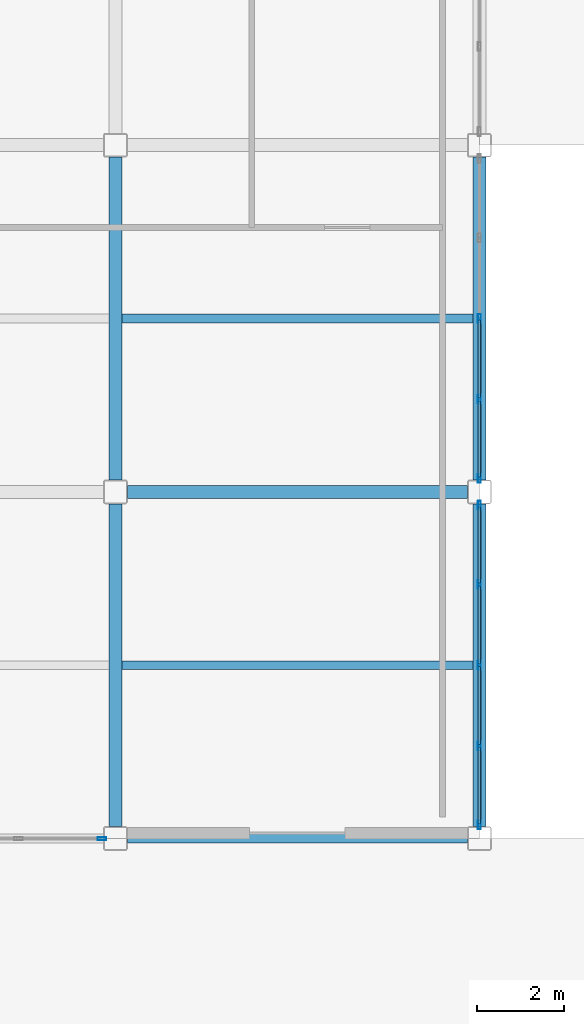
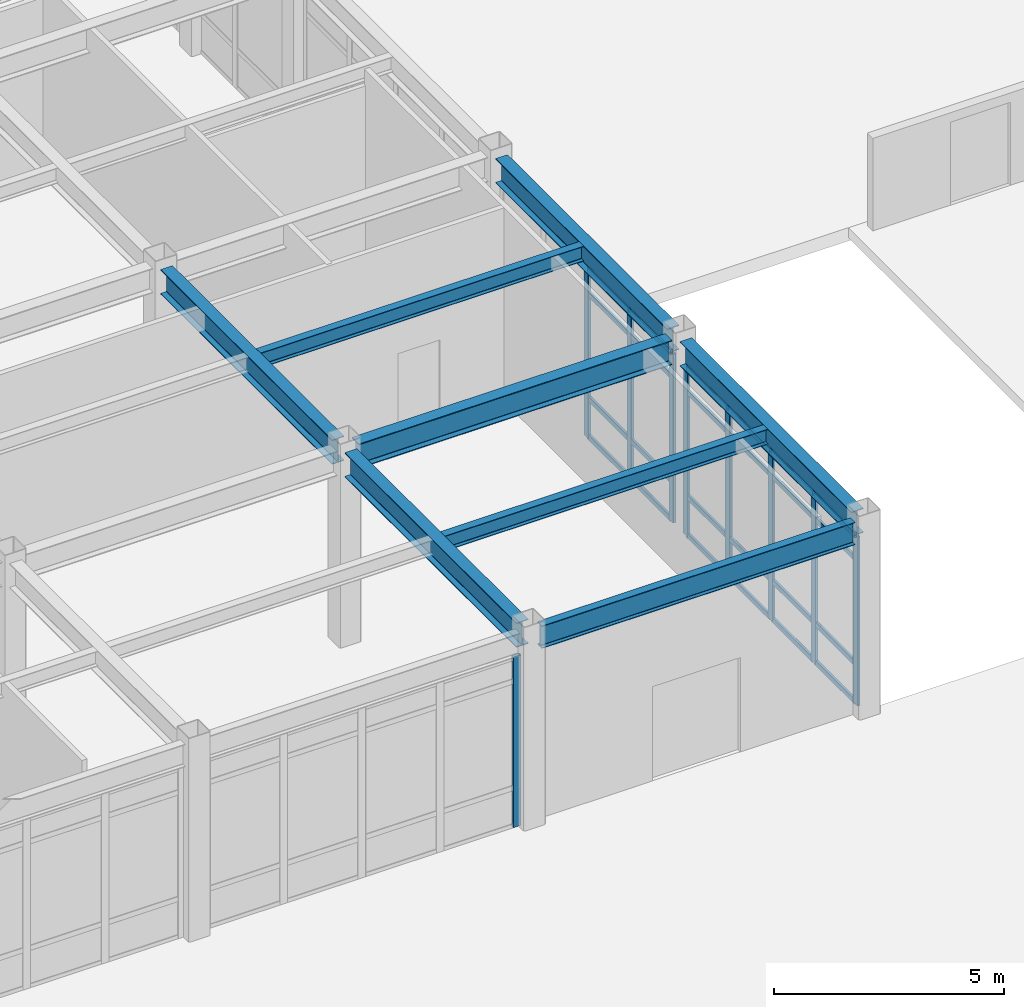
# One storey, part 76 of 165: 33 members, 8 beams, 3 elements without a shape of their own.
"""IFC4 building model written with IfcOpenShell, lengths in metres."""

from ifc_helpers import new_model, si_unit, direction, frame, origin, origin_2d, place, context, subcontext, project, spatial, hollow_rectangle, i_section, extrude, material, layer, layer_set, material_profile, profile_set, type_object, element, aggregate, save


model = new_model("IFC4")

# Units and contexts
model_context = context("Model", 3, precision=1e-05, world=origin(), true_north=direction((0.0, 1.0)))
body_context = subcontext(model_context, "Body", "Model", "MODEL_VIEW")
ifc_project = project(units=[si_unit("LENGTHUNIT", "METRE"), si_unit("AREAUNIT", "SQUARE_METRE"), si_unit("VOLUMEUNIT", "CUBIC_METRE"), si_unit("PLANEANGLEUNIT", "RADIAN"), si_unit("MASSUNIT", "GRAM", prefix="KILO")], contexts=[model_context])

# Site, building, storey
site_placement = place(None, origin())
site = spatial("IfcSite", under=ifc_project, at=site_placement, CompositionType="ELEMENT")
building_placement = place(site_placement, origin())
building = spatial("IfcBuilding", under=site, at=building_placement, Name="Kazehara Bluff Congress Hotel", CompositionType="ELEMENT")
storey_placement = place(building_placement, origin())
storey = spatial("IfcBuildingStorey", under=building, at=storey_placement, Name="L00", CompositionType="ELEMENT", Elevation=0.0)

# Curtain wall, member
ifc_material_1 = material(Name="Anodised aluminium", Category="aluminium")
ifc_layer_1 = layer(ifc_material_1, 0.159912109375)
ifc_layer_set_1 = layer_set([ifc_layer_1], Name="Anodised aluminium")
curtain_wall_type_1 = type_object("IfcCurtainWallType", Name="TP-CW-36", PredefinedType="NOTDEFINED", material=ifc_layer_set_1)
curtain_wall_1_placement = place(storey_placement, origin())
curtain_wall_1 = element("IfcCurtainWall", 1, at=curtain_wall_1_placement, inside=storey, type_object=curtain_wall_type_1, Name="L00 curtain wall CW-36 CW-V3-L00-Y8090-8472", PredefinedType="NOTDEFINED")
ifc_material_2 = material(Name="Anodised aluminium", Category="aluminium")
ifc_material_profile_1 = material_profile(ifc_material_2, hollow_rectangle(XDim=0.070068359375, YDim=0.199951171875, WallThickness=0.0048828125, InnerFilletRadius=0.0048828125, OuterFilletRadius=0.010009765625, at=origin_2d()))
ifc_profile_set_1 = profile_set([ifc_material_profile_1], Name="Anodised aluminium")
member_type_1 = type_object("IfcMemberType", Name="TP-CWM-03", PredefinedType="MULLION", material=ifc_profile_set_1)
member_1_placement = place(storey_placement, frame((92.5400390625, 80.89990234375, 0.0), z_axis=(0.0, 0.0, 1.0), x_axis=(0.0, 1.0, 0.0)))
member_1 = element("IfcMember", 2, at=member_1_placement, type_object=member_type_1, Name="CW-36 mullion 5", PredefinedType="MULLION", context=body_context, shape_type="SweptSolid", body=[
    extrude(hollow_rectangle(XDim=0.070068359375, YDim=0.199951171875, WallThickness=0.0048828125, InnerFilletRadius=0.0048828125, OuterFilletRadius=0.010009765625, at=origin_2d()), origin(), (0.0, 0.0, 1.0), 4.52490234375),
])
aggregate(curtain_wall_1, [member_1])

# Curtain wall, members
ifc_material_3 = material(Name="Anodised aluminium", Category="aluminium")
ifc_layer_2 = layer(ifc_material_3, 0.159912109375)
ifc_layer_set_2 = layer_set([ifc_layer_2], Name="Anodised aluminium")
curtain_wall_type_2 = type_object("IfcCurtainWallType", Name="TP-CW-40", PredefinedType="NOTDEFINED", material=ifc_layer_set_2)
curtain_wall_2_placement = place(storey_placement, origin())
curtain_wall_2 = element("IfcCurtainWall", 3, at=curtain_wall_2_placement, inside=storey, type_object=curtain_wall_type_2, Name="L00 curtain wall CW-40 CW-V3-L00-X10125-8118", PredefinedType="NOTDEFINED")
member_2_placement = place(storey_placement, frame((101.25, 81.2099609375, 0.0), z_axis=(0.0, 0.0, 1.0), x_axis=(-1.0, 0.0, 0.0)))
member_2 = element("IfcMember", 4, at=member_2_placement, type_object=member_type_1, Name="CW-40 mullion 1", PredefinedType="MULLION", context=body_context, shape_type="SweptSolid", body=[
    extrude(hollow_rectangle(XDim=0.070068359375, YDim=0.199951171875, WallThickness=0.0048828125, InnerFilletRadius=0.0048828125, OuterFilletRadius=0.010009765625, at=origin_2d()), origin(), (0.0, 0.0, 1.0), 4.47509765625),
])
member_3_placement = place(storey_placement, frame((101.25, 83.03759765625, 0.0), z_axis=(0.0, 0.0, 1.0), x_axis=(-1.0, 0.0, 0.0)))
member_3 = element("IfcMember", 5, at=member_3_placement, type_object=member_type_1, Name="CW-40 mullion 2", PredefinedType="MULLION", context=body_context, shape_type="SweptSolid", body=[
    extrude(hollow_rectangle(XDim=0.070068359375, YDim=0.199951171875, WallThickness=0.0048828125, InnerFilletRadius=0.0048828125, OuterFilletRadius=0.010009765625, at=origin_2d()), origin(), (0.0, 0.0, 1.0), 4.47509765625),
])
member_4_placement = place(storey_placement, frame((101.25, 84.89990234375, 0.0), z_axis=(0.0, 0.0, 1.0), x_axis=(-1.0, 0.0, 0.0)))
member_4 = element("IfcMember", 6, at=member_4_placement, type_object=member_type_1, Name="CW-40 mullion 3", PredefinedType="MULLION", context=body_context, shape_type="SweptSolid", body=[
    extrude(hollow_rectangle(XDim=0.070068359375, YDim=0.199951171875, WallThickness=0.0048828125, InnerFilletRadius=0.0048828125, OuterFilletRadius=0.010009765625, at=origin_2d()), origin(), (0.0, 0.0, 1.0), 4.47509765625),
])
member_5_placement = place(storey_placement, frame((101.25, 86.762451171875, 0.0), z_axis=(0.0, 0.0, 1.0), x_axis=(-1.0, 0.0, 0.0)))
member_5 = element("IfcMember", 7, at=member_5_placement, type_object=member_type_1, Name="CW-40 mullion 4", PredefinedType="MULLION", context=body_context, shape_type="SweptSolid", body=[
    extrude(hollow_rectangle(XDim=0.070068359375, YDim=0.199951171875, WallThickness=0.0048828125, InnerFilletRadius=0.0048828125, OuterFilletRadius=0.010009765625, at=origin_2d()), origin(), (0.0, 0.0, 1.0), 4.47509765625),
])
member_6_placement = place(storey_placement, frame((101.25, 88.590087890625, 0.0), z_axis=(0.0, 0.0, 1.0), x_axis=(-1.0, 0.0, 0.0)))
member_6 = element("IfcMember", 8, at=member_6_placement, type_object=member_type_1, Name="CW-40 mullion 5", PredefinedType="MULLION", context=body_context, shape_type="SweptSolid", body=[
    extrude(hollow_rectangle(XDim=0.070068359375, YDim=0.199951171875, WallThickness=0.0048828125, InnerFilletRadius=0.0048828125, OuterFilletRadius=0.010009765625, at=origin_2d()), origin(), (0.0, 0.0, 1.0), 4.47509765625),
])

curtain_wall_3_placement = place(storey_placement, origin())
curtain_wall_3 = element("IfcCurtainWall", 9, at=curtain_wall_3_placement, inside=storey, type_object=curtain_wall_type_2, Name="L00 curtain wall CW-40 CW-V3-L00-X10125-8918", PredefinedType="NOTDEFINED")
member_7_placement = place(storey_placement, frame((101.25, 89.2099609375, 0.0), z_axis=(0.0, 0.0, 1.0), x_axis=(-1.0, 0.0, 0.0)))
member_7 = element("IfcMember", 10, at=member_7_placement, type_object=member_type_1, Name="CW-40 mullion 1", PredefinedType="MULLION", context=body_context, shape_type="SweptSolid", body=[
    extrude(hollow_rectangle(XDim=0.070068359375, YDim=0.199951171875, WallThickness=0.0048828125, InnerFilletRadius=0.0048828125, OuterFilletRadius=0.010009765625, at=origin_2d()), origin(), (0.0, 0.0, 1.0), 4.47509765625),
])
member_8_placement = place(storey_placement, frame((101.25, 91.03759765625, 0.0), z_axis=(0.0, 0.0, 1.0), x_axis=(-1.0, 0.0, 0.0)))
member_8 = element("IfcMember", 11, at=member_8_placement, type_object=member_type_1, Name="CW-40 mullion 2", PredefinedType="MULLION", context=body_context, shape_type="SweptSolid", body=[
    extrude(hollow_rectangle(XDim=0.070068359375, YDim=0.199951171875, WallThickness=0.0048828125, InnerFilletRadius=0.0048828125, OuterFilletRadius=0.010009765625, at=origin_2d()), origin(), (0.0, 0.0, 1.0), 4.47509765625),
])
member_9_placement = place(storey_placement, frame((101.25, 92.89990234375, 0.0), z_axis=(0.0, 0.0, 1.0), x_axis=(-1.0, 0.0, 0.0)))
member_9 = element("IfcMember", 12, at=member_9_placement, type_object=member_type_1, Name="CW-40 mullion 3", PredefinedType="MULLION", context=body_context, shape_type="SweptSolid", body=[
    extrude(hollow_rectangle(XDim=0.070068359375, YDim=0.199951171875, WallThickness=0.0048828125, InnerFilletRadius=0.0048828125, OuterFilletRadius=0.010009765625, at=origin_2d()), origin(), (0.0, 0.0, 1.0), 4.47509765625),
])

# Member
ifc_material_4 = material(Name="Anodised aluminium", Category="aluminium")
ifc_material_profile_2 = material_profile(ifc_material_4, hollow_rectangle(XDim=0.06494140625, YDim=0.139892578125, WallThickness=0.00390625, InnerFilletRadius=0.00390625, OuterFilletRadius=0.008056640625, at=origin_2d()))
ifc_profile_set_2 = profile_set([ifc_material_profile_2], Name="Anodised aluminium")
member_type_2 = type_object("IfcMemberType", Name="TP-CWT-02", PredefinedType="USERDEFINED", material=ifc_profile_set_2)
member_10_placement = place(storey_placement, frame((101.25, 81.2451171875, 0.032470703125), z_axis=(0.0, 1.0, 0.0), x_axis=(-1.0, 0.0, 0.0)))
member_10 = element("IfcMember", 13, at=member_10_placement, type_object=member_type_2, Name="CW-40 transom 1.1", ObjectType="TRANSOM", PredefinedType="USERDEFINED", context=body_context, shape_type="SweptSolid", body=[
    extrude(hollow_rectangle(XDim=0.06494140625, YDim=0.139892578125, WallThickness=0.00390625, InnerFilletRadius=0.00390625, OuterFilletRadius=0.008056640625, at=origin_2d()), origin(), (0.0, 0.0, 1.0), 1.75732421875),
])

member_11_placement = place(storey_placement, frame((101.25, 81.2451171875, 1.050048828125), z_axis=(0.0, 1.0, 0.0), x_axis=(-1.0, 0.0, 0.0)))
member_11 = element("IfcMember", 14, at=member_11_placement, type_object=member_type_2, Name="CW-40 transom 1.2", ObjectType="TRANSOM", PredefinedType="USERDEFINED", context=body_context, shape_type="SweptSolid", body=[
    extrude(hollow_rectangle(XDim=0.06494140625, YDim=0.139892578125, WallThickness=0.00390625, InnerFilletRadius=0.00390625, OuterFilletRadius=0.008056640625, at=origin_2d()), origin(), (0.0, 0.0, 1.0), 1.75732421875),
])

member_12_placement = place(storey_placement, frame((101.25, 81.2451171875, 3.824951171875), z_axis=(0.0, 1.0, 0.0), x_axis=(-1.0, 0.0, 0.0)))
member_12 = element("IfcMember", 15, at=member_12_placement, type_object=member_type_2, Name="CW-40 transom 1.3", ObjectType="TRANSOM", PredefinedType="USERDEFINED", context=body_context, shape_type="SweptSolid", body=[
    extrude(hollow_rectangle(XDim=0.06494140625, YDim=0.139892578125, WallThickness=0.00390625, InnerFilletRadius=0.00390625, OuterFilletRadius=0.008056640625, at=origin_2d()), origin(), (0.0, 0.0, 1.0), 1.75732421875),
])

member_13_placement = place(storey_placement, frame((101.25, 81.2451171875, 4.4423828125), z_axis=(0.0, 1.0, 0.0), x_axis=(-1.0, 0.0, 0.0)))
member_13 = element("IfcMember", 16, at=member_13_placement, type_object=member_type_2, Name="CW-40 transom 1.4", ObjectType="TRANSOM", PredefinedType="USERDEFINED", context=body_context, shape_type="SweptSolid", body=[
    extrude(hollow_rectangle(XDim=0.06494140625, YDim=0.139892578125, WallThickness=0.00390625, InnerFilletRadius=0.00390625, OuterFilletRadius=0.008056640625, at=origin_2d()), origin(), (0.0, 0.0, 1.0), 1.75732421875),
])

member_14_placement = place(storey_placement, frame((101.25, 83.072509765625, 0.032470703125), z_axis=(0.0, 1.0, 0.0), x_axis=(-1.0, 0.0, 0.0)))
member_14 = element("IfcMember", 17, at=member_14_placement, type_object=member_type_2, Name="CW-40 transom 2.1", ObjectType="TRANSOM", PredefinedType="USERDEFINED", context=body_context, shape_type="SweptSolid", body=[
    extrude(hollow_rectangle(XDim=0.06494140625, YDim=0.139892578125, WallThickness=0.00390625, InnerFilletRadius=0.00390625, OuterFilletRadius=0.008056640625, at=origin_2d()), origin(), (0.0, 0.0, 1.0), 1.79248046875),
])

member_15_placement = place(storey_placement, frame((101.25, 83.072509765625, 1.050048828125), z_axis=(0.0, 1.0, 0.0), x_axis=(-1.0, 0.0, 0.0)))
member_15 = element("IfcMember", 18, at=member_15_placement, type_object=member_type_2, Name="CW-40 transom 2.2", ObjectType="TRANSOM", PredefinedType="USERDEFINED", context=body_context, shape_type="SweptSolid", body=[
    extrude(hollow_rectangle(XDim=0.06494140625, YDim=0.139892578125, WallThickness=0.00390625, InnerFilletRadius=0.00390625, OuterFilletRadius=0.008056640625, at=origin_2d()), origin(), (0.0, 0.0, 1.0), 1.79248046875),
])

member_16_placement = place(storey_placement, frame((101.25, 83.072509765625, 3.824951171875), z_axis=(0.0, 1.0, 0.0), x_axis=(-1.0, 0.0, 0.0)))
member_16 = element("IfcMember", 19, at=member_16_placement, type_object=member_type_2, Name="CW-40 transom 2.3", ObjectType="TRANSOM", PredefinedType="USERDEFINED", context=body_context, shape_type="SweptSolid", body=[
    extrude(hollow_rectangle(XDim=0.06494140625, YDim=0.139892578125, WallThickness=0.00390625, InnerFilletRadius=0.00390625, OuterFilletRadius=0.008056640625, at=origin_2d()), origin(), (0.0, 0.0, 1.0), 1.79248046875),
])

member_17_placement = place(storey_placement, frame((101.25, 83.072509765625, 4.4423828125), z_axis=(0.0, 1.0, 0.0), x_axis=(-1.0, 0.0, 0.0)))
member_17 = element("IfcMember", 20, at=member_17_placement, type_object=member_type_2, Name="CW-40 transom 2.4", ObjectType="TRANSOM", PredefinedType="USERDEFINED", context=body_context, shape_type="SweptSolid", body=[
    extrude(hollow_rectangle(XDim=0.06494140625, YDim=0.139892578125, WallThickness=0.00390625, InnerFilletRadius=0.00390625, OuterFilletRadius=0.008056640625, at=origin_2d()), origin(), (0.0, 0.0, 1.0), 1.79248046875),
])

member_18_placement = place(storey_placement, frame((101.25, 84.93505859375, 0.032470703125), z_axis=(0.0, 1.0, 0.0), x_axis=(-1.0, 0.0, 0.0)))
member_18 = element("IfcMember", 21, at=member_18_placement, type_object=member_type_2, Name="CW-40 transom 3.1", ObjectType="TRANSOM", PredefinedType="USERDEFINED", context=body_context, shape_type="SweptSolid", body=[
    extrude(hollow_rectangle(XDim=0.06494140625, YDim=0.139892578125, WallThickness=0.00390625, InnerFilletRadius=0.00390625, OuterFilletRadius=0.008056640625, at=origin_2d()), origin(), (0.0, 0.0, 1.0), 1.79248046875),
])

member_19_placement = place(storey_placement, frame((101.25, 84.93505859375, 1.050048828125), z_axis=(0.0, 1.0, 0.0), x_axis=(-1.0, 0.0, 0.0)))
member_19 = element("IfcMember", 22, at=member_19_placement, type_object=member_type_2, Name="CW-40 transom 3.2", ObjectType="TRANSOM", PredefinedType="USERDEFINED", context=body_context, shape_type="SweptSolid", body=[
    extrude(hollow_rectangle(XDim=0.06494140625, YDim=0.139892578125, WallThickness=0.00390625, InnerFilletRadius=0.00390625, OuterFilletRadius=0.008056640625, at=origin_2d()), origin(), (0.0, 0.0, 1.0), 1.79248046875),
])

member_20_placement = place(storey_placement, frame((101.25, 84.93505859375, 3.824951171875), z_axis=(0.0, 1.0, 0.0), x_axis=(-1.0, 0.0, 0.0)))
member_20 = element("IfcMember", 23, at=member_20_placement, type_object=member_type_2, Name="CW-40 transom 3.3", ObjectType="TRANSOM", PredefinedType="USERDEFINED", context=body_context, shape_type="SweptSolid", body=[
    extrude(hollow_rectangle(XDim=0.06494140625, YDim=0.139892578125, WallThickness=0.00390625, InnerFilletRadius=0.00390625, OuterFilletRadius=0.008056640625, at=origin_2d()), origin(), (0.0, 0.0, 1.0), 1.79248046875),
])

member_21_placement = place(storey_placement, frame((101.25, 84.93505859375, 4.4423828125), z_axis=(0.0, 1.0, 0.0), x_axis=(-1.0, 0.0, 0.0)))
member_21 = element("IfcMember", 24, at=member_21_placement, type_object=member_type_2, Name="CW-40 transom 3.4", ObjectType="TRANSOM", PredefinedType="USERDEFINED", context=body_context, shape_type="SweptSolid", body=[
    extrude(hollow_rectangle(XDim=0.06494140625, YDim=0.139892578125, WallThickness=0.00390625, InnerFilletRadius=0.00390625, OuterFilletRadius=0.008056640625, at=origin_2d()), origin(), (0.0, 0.0, 1.0), 1.79248046875),
])

member_22_placement = place(storey_placement, frame((101.25, 86.797607421875, 0.032470703125), z_axis=(0.0, 1.0, 0.0), x_axis=(-1.0, 0.0, 0.0)))
member_22 = element("IfcMember", 25, at=member_22_placement, type_object=member_type_2, Name="CW-40 transom 4.1", ObjectType="TRANSOM", PredefinedType="USERDEFINED", context=body_context, shape_type="SweptSolid", body=[
    extrude(hollow_rectangle(XDim=0.06494140625, YDim=0.139892578125, WallThickness=0.00390625, InnerFilletRadius=0.00390625, OuterFilletRadius=0.008056640625, at=origin_2d()), origin(), (0.0, 0.0, 1.0), 1.75732421875),
])

member_23_placement = place(storey_placement, frame((101.25, 86.797607421875, 1.050048828125), z_axis=(0.0, 1.0, 0.0), x_axis=(-1.0, 0.0, 0.0)))
member_23 = element("IfcMember", 26, at=member_23_placement, type_object=member_type_2, Name="CW-40 transom 4.2", ObjectType="TRANSOM", PredefinedType="USERDEFINED", context=body_context, shape_type="SweptSolid", body=[
    extrude(hollow_rectangle(XDim=0.06494140625, YDim=0.139892578125, WallThickness=0.00390625, InnerFilletRadius=0.00390625, OuterFilletRadius=0.008056640625, at=origin_2d()), origin(), (0.0, 0.0, 1.0), 1.75732421875),
])

member_24_placement = place(storey_placement, frame((101.25, 86.797607421875, 3.824951171875), z_axis=(0.0, 1.0, 0.0), x_axis=(-1.0, 0.0, 0.0)))
member_24 = element("IfcMember", 27, at=member_24_placement, type_object=member_type_2, Name="CW-40 transom 4.3", ObjectType="TRANSOM", PredefinedType="USERDEFINED", context=body_context, shape_type="SweptSolid", body=[
    extrude(hollow_rectangle(XDim=0.06494140625, YDim=0.139892578125, WallThickness=0.00390625, InnerFilletRadius=0.00390625, OuterFilletRadius=0.008056640625, at=origin_2d()), origin(), (0.0, 0.0, 1.0), 1.75732421875),
])

member_25_placement = place(storey_placement, frame((101.25, 86.797607421875, 4.4423828125), z_axis=(0.0, 1.0, 0.0), x_axis=(-1.0, 0.0, 0.0)))
member_25 = element("IfcMember", 28, at=member_25_placement, type_object=member_type_2, Name="CW-40 transom 4.4", ObjectType="TRANSOM", PredefinedType="USERDEFINED", context=body_context, shape_type="SweptSolid", body=[
    extrude(hollow_rectangle(XDim=0.06494140625, YDim=0.139892578125, WallThickness=0.00390625, InnerFilletRadius=0.00390625, OuterFilletRadius=0.008056640625, at=origin_2d()), origin(), (0.0, 0.0, 1.0), 1.75732421875),
])

aggregate(curtain_wall_2, [member_2, member_3, member_4, member_5, member_6, member_10, member_11, member_12, member_13, member_14, member_15, member_16, member_17, member_18, member_19, member_20, member_21, member_22, member_23, member_24, member_25])

member_26_placement = place(storey_placement, frame((101.25, 89.2451171875, 0.032470703125), z_axis=(0.0, 1.0, 0.0), x_axis=(-1.0, 0.0, 0.0)))
member_26 = element("IfcMember", 29, at=member_26_placement, type_object=member_type_2, Name="CW-40 transom 1.1", ObjectType="TRANSOM", PredefinedType="USERDEFINED", context=body_context, shape_type="SweptSolid", body=[
    extrude(hollow_rectangle(XDim=0.06494140625, YDim=0.139892578125, WallThickness=0.00390625, InnerFilletRadius=0.00390625, OuterFilletRadius=0.008056640625, at=origin_2d()), origin(), (0.0, 0.0, 1.0), 1.75732421875),
])

member_27_placement = place(storey_placement, frame((101.25, 89.2451171875, 1.050048828125), z_axis=(0.0, 1.0, 0.0), x_axis=(-1.0, 0.0, 0.0)))
member_27 = element("IfcMember", 30, at=member_27_placement, type_object=member_type_2, Name="CW-40 transom 1.2", ObjectType="TRANSOM", PredefinedType="USERDEFINED", context=body_context, shape_type="SweptSolid", body=[
    extrude(hollow_rectangle(XDim=0.06494140625, YDim=0.139892578125, WallThickness=0.00390625, InnerFilletRadius=0.00390625, OuterFilletRadius=0.008056640625, at=origin_2d()), origin(), (0.0, 0.0, 1.0), 1.75732421875),
])

member_28_placement = place(storey_placement, frame((101.25, 89.2451171875, 3.824951171875), z_axis=(0.0, 1.0, 0.0), x_axis=(-1.0, 0.0, 0.0)))
member_28 = element("IfcMember", 31, at=member_28_placement, type_object=member_type_2, Name="CW-40 transom 1.3", ObjectType="TRANSOM", PredefinedType="USERDEFINED", context=body_context, shape_type="SweptSolid", body=[
    extrude(hollow_rectangle(XDim=0.06494140625, YDim=0.139892578125, WallThickness=0.00390625, InnerFilletRadius=0.00390625, OuterFilletRadius=0.008056640625, at=origin_2d()), origin(), (0.0, 0.0, 1.0), 1.75732421875),
])

member_29_placement = place(storey_placement, frame((101.25, 89.2451171875, 4.4423828125), z_axis=(0.0, 1.0, 0.0), x_axis=(-1.0, 0.0, 0.0)))
member_29 = element("IfcMember", 32, at=member_29_placement, type_object=member_type_2, Name="CW-40 transom 1.4", ObjectType="TRANSOM", PredefinedType="USERDEFINED", context=body_context, shape_type="SweptSolid", body=[
    extrude(hollow_rectangle(XDim=0.06494140625, YDim=0.139892578125, WallThickness=0.00390625, InnerFilletRadius=0.00390625, OuterFilletRadius=0.008056640625, at=origin_2d()), origin(), (0.0, 0.0, 1.0), 1.75732421875),
])

member_30_placement = place(storey_placement, frame((101.25, 91.072509765625, 0.032470703125), z_axis=(0.0, 1.0, 0.0), x_axis=(-1.0, 0.0, 0.0)))
member_30 = element("IfcMember", 33, at=member_30_placement, type_object=member_type_2, Name="CW-40 transom 2.1", ObjectType="TRANSOM", PredefinedType="USERDEFINED", context=body_context, shape_type="SweptSolid", body=[
    extrude(hollow_rectangle(XDim=0.06494140625, YDim=0.139892578125, WallThickness=0.00390625, InnerFilletRadius=0.00390625, OuterFilletRadius=0.008056640625, at=origin_2d()), origin(), (0.0, 0.0, 1.0), 1.79248046875),
])

member_31_placement = place(storey_placement, frame((101.25, 91.072509765625, 1.050048828125), z_axis=(0.0, 1.0, 0.0), x_axis=(-1.0, 0.0, 0.0)))
member_31 = element("IfcMember", 34, at=member_31_placement, type_object=member_type_2, Name="CW-40 transom 2.2", ObjectType="TRANSOM", PredefinedType="USERDEFINED", context=body_context, shape_type="SweptSolid", body=[
    extrude(hollow_rectangle(XDim=0.06494140625, YDim=0.139892578125, WallThickness=0.00390625, InnerFilletRadius=0.00390625, OuterFilletRadius=0.008056640625, at=origin_2d()), origin(), (0.0, 0.0, 1.0), 1.79248046875),
])

member_32_placement = place(storey_placement, frame((101.25, 91.072509765625, 3.824951171875), z_axis=(0.0, 1.0, 0.0), x_axis=(-1.0, 0.0, 0.0)))
member_32 = element("IfcMember", 35, at=member_32_placement, type_object=member_type_2, Name="CW-40 transom 2.3", ObjectType="TRANSOM", PredefinedType="USERDEFINED", context=body_context, shape_type="SweptSolid", body=[
    extrude(hollow_rectangle(XDim=0.06494140625, YDim=0.139892578125, WallThickness=0.00390625, InnerFilletRadius=0.00390625, OuterFilletRadius=0.008056640625, at=origin_2d()), origin(), (0.0, 0.0, 1.0), 1.79248046875),
])

member_33_placement = place(storey_placement, frame((101.25, 91.072509765625, 4.4423828125), z_axis=(0.0, 1.0, 0.0), x_axis=(-1.0, 0.0, 0.0)))
member_33 = element("IfcMember", 36, at=member_33_placement, type_object=member_type_2, Name="CW-40 transom 2.4", ObjectType="TRANSOM", PredefinedType="USERDEFINED", context=body_context, shape_type="SweptSolid", body=[
    extrude(hollow_rectangle(XDim=0.06494140625, YDim=0.139892578125, WallThickness=0.00390625, InnerFilletRadius=0.00390625, OuterFilletRadius=0.008056640625, at=origin_2d()), origin(), (0.0, 0.0, 1.0), 1.79248046875),
])

aggregate(curtain_wall_3, [member_7, member_8, member_9, member_26, member_27, member_28, member_29, member_30, member_31, member_32, member_33])

# Beams
ifc_material_5 = material(Name="Steel SN490B", Category="steel")
ifc_material_profile_3 = material_profile(ifc_material_5, i_section(OverallWidth=0.300048828125, OverallDepth=0.64990234375, WebThickness=0.011962890625, FlangeThickness=0.02001953125, FilletRadius=0.012939453125, at=origin_2d()))
ifc_profile_set_3 = profile_set([ifc_material_profile_3], Name="Steel SN490B")
beam_type_1 = type_object("IfcBeamType", Name="TP-G-03", PredefinedType="BEAM", material=ifc_profile_set_3)
for number, where, z_axis, x_axis, name in (
    (37, (92.85009765625, 81.175048828125, 4.824951171875), (0.0, 1.0, 0.0), (-1.0, 0.0, 0.0), "L00 girder G-03 115"),
    (38, (92.85009765625, 89.175048828125, 4.824951171875), (0.0, 1.0, 0.0), (-1.0, 0.0, 0.0), "L00 girder G-03 116"),
    (39, (101.25, 81.175048828125, 4.824951171875), (0.0, 1.0, 0.0), (-1.0, 0.0, 0.0), "L00 girder G-03 119"),
    (40, (101.25, 89.175048828125, 4.824951171875), (0.0, 1.0, 0.0), (-1.0, 0.0, 0.0), "L00 girder G-03 120"),
):
    element("IfcBeam", number, at=place(storey_placement, frame(where, z_axis=z_axis, x_axis=x_axis)), inside=storey, type_object=beam_type_1, Name=name, PredefinedType="BEAM", context=body_context, shape_type="SweptSolid", body=[
        extrude(i_section(OverallWidth=0.300048828125, OverallDepth=0.64990234375, WebThickness=0.011962890625, FlangeThickness=0.02001953125, FilletRadius=0.012939453125, at=origin_2d()), origin(), (0.0, 0.0, 1.0), 7.449951171875),
    ])
beam_1_placement = place(storey_placement, frame((93.125, 88.89990234375, 4.824951171875), z_axis=(1.0, 0.0, 0.0), x_axis=(0.0, 1.0, 0.0)))
element("IfcBeam", 41, at=beam_1_placement, inside=storey, type_object=beam_type_1, Name="L00 girder G-03 132", PredefinedType="BEAM", context=body_context, shape_type="SweptSolid", body=[
    extrude(i_section(OverallWidth=0.300048828125, OverallDepth=0.64990234375, WebThickness=0.011962890625, FlangeThickness=0.02001953125, FilletRadius=0.012939453125, at=origin_2d()), origin(), (0.0, 0.0, 1.0), 7.85009765625),
])
ifc_material_6 = material(Name="Steel SN400B", Category="steel")
ifc_material_profile_4 = material_profile(ifc_material_6, i_section(OverallWidth=0.199951171875, OverallDepth=0.39990234375, WebThickness=0.008056640625, FlangeThickness=0.012939453125, FilletRadius=0.012939453125, at=origin_2d()))
ifc_profile_set_4 = profile_set([ifc_material_profile_4], Name="Steel SN400B")
beam_type_2 = type_object("IfcBeamType", Name="TP-J-03", PredefinedType="JOIST", material=ifc_profile_set_4)
for number, where, z_axis, x_axis, name in (
    (42, (93.0, 84.89990234375, 4.949951171875), (1.0, 0.0, 0.0), (0.0, 1.0, 0.0), "L00 secondary joist J-03 27"),
    (43, (93.0, 92.89990234375, 4.949951171875), (1.0, 0.0, 0.0), (0.0, 1.0, 0.0), "L00 secondary joist J-03 28"),
):
    element("IfcBeam", number, at=place(storey_placement, frame(where, z_axis=z_axis, x_axis=x_axis)), inside=storey, type_object=beam_type_2, Name=name, PredefinedType="JOIST", context=body_context, shape_type="SweptSolid", body=[
        extrude(i_section(OverallWidth=0.199951171875, OverallDepth=0.39990234375, WebThickness=0.008056640625, FlangeThickness=0.012939453125, FilletRadius=0.012939453125, at=origin_2d()), origin(), (0.0, 0.0, 1.0), 8.10009765625),
    ])
ifc_material_7 = material(Name="Steel SN490B", Category="steel")
ifc_material_profile_5 = material_profile(ifc_material_7, i_section(OverallWidth=0.199951171875, OverallDepth=0.60009765625, WebThickness=0.010986328125, FlangeThickness=0.01708984375, FilletRadius=0.012939453125, at=origin_2d()))
ifc_profile_set_5 = profile_set([ifc_material_profile_5], Name="Steel SN490B")
beam_type_3 = type_object("IfcBeamType", Name="TP-SP-02", PredefinedType="SPANDREL", material=ifc_profile_set_5)
beam_2_placement = place(storey_placement, frame((93.125, 80.89990234375, 4.85009765625), z_axis=(1.0, 0.0, 0.0), x_axis=(0.0, 1.0, 0.0)))
element("IfcBeam", 44, at=beam_2_placement, inside=storey, type_object=beam_type_3, Name="L00 girder SP-02 127", PredefinedType="SPANDREL", context=body_context, shape_type="SweptSolid", body=[
    extrude(i_section(OverallWidth=0.199951171875, OverallDepth=0.60009765625, WebThickness=0.010986328125, FlangeThickness=0.01708984375, FilletRadius=0.012939453125, at=origin_2d()), origin(), (0.0, 0.0, 1.0), 7.85009765625),
])

save(model, "model.ifc")
